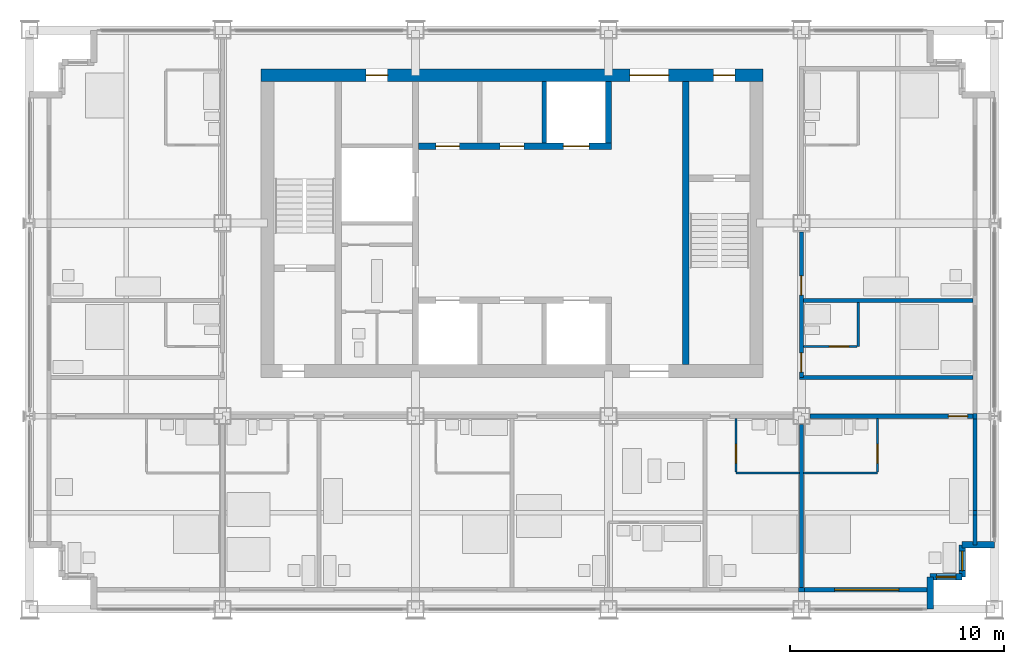
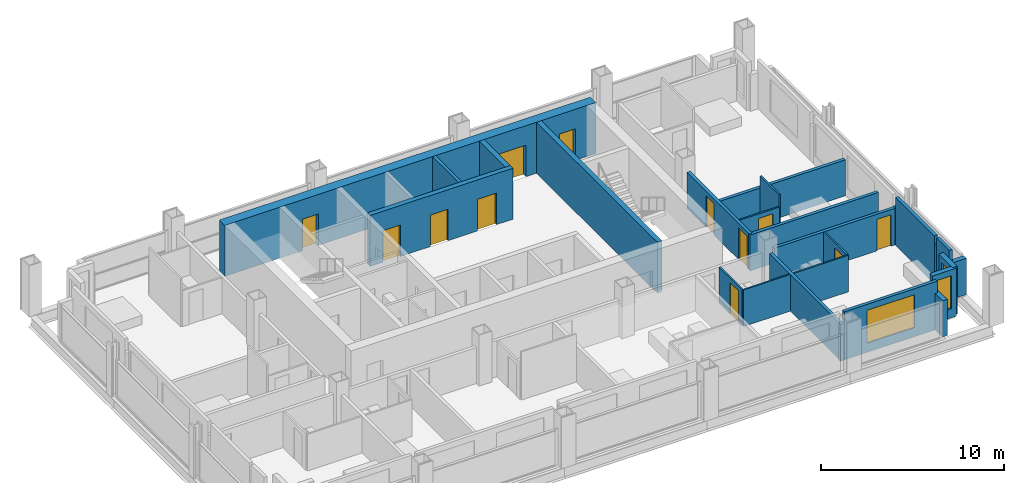
# One storey, part 9 of 13: 26 walls, 12 doors, 3 windows, 15 openings.
"""IFC4 building model written with IfcOpenShell, lengths in metres."""

from ifc_helpers import new_model, si_unit, direction, frame, frame_2d, origin, place, context, subcontext, project, spatial, rectangle, extrude, material, layer, layer_set, type_object, element, fill, save


model = new_model("IFC4")

# Units and contexts
model_context = context("Model", 3, precision=1e-05, world=origin(), true_north=direction((0.0, 1.0)))
body_context = subcontext(model_context, "Body", "Model", "MODEL_VIEW")
ifc_project = project(units=[si_unit("LENGTHUNIT", "METRE"), si_unit("AREAUNIT", "SQUARE_METRE"), si_unit("VOLUMEUNIT", "CUBIC_METRE"), si_unit("PLANEANGLEUNIT", "RADIAN"), si_unit("MASSUNIT", "GRAM", prefix="KILO")], contexts=[model_context])

# Site, building, storey
site_placement = place(None, origin())
site = spatial("IfcSite", under=ifc_project, at=site_placement, CompositionType="ELEMENT")
building_placement = place(site_placement, origin())
building = spatial("IfcBuilding", under=site, at=building_placement, Name="Loomwork Tower", CompositionType="ELEMENT")
storey_placement = place(building_placement, frame((0.0, 0.0, 204.60009765625)))
storey = spatial("IfcBuildingStorey", under=building, at=storey_placement, Name="L56", CompositionType="ELEMENT", Elevation=204.60009765625)

# Wall, openings, doors
ifc_material_1 = material(Name="Concrete 14000 psi (97 MPa)", Category="concrete")
ifc_layer_1 = layer(ifc_material_1, 0.300048828125)
ifc_layer_set_1 = layer_set([ifc_layer_1], Name="Core shear wall 300")
wall_type_1 = type_object("IfcWallType", Name="Core shear wall 300", PredefinedType="SHEAR", material=ifc_layer_set_1)
wall_1_placement = place(storey_placement, frame((18.14990234375, 21.60009765625, 0.0), z_axis=(0.0, 0.0, 1.0), x_axis=(1.0, 0.0, 0.0)))
wall_1 = element("IfcWall", 1, at=wall_1_placement, inside=storey, type_object=wall_type_1, Name="Lift front wall north L56", PredefinedType="SHEAR", context=body_context, shape_type="SweptSolid", body=[
    extrude(rectangle(XDim=9.0, YDim=0.300048828125, at=frame_2d((4.5, 0.0))), origin(), (0.0, 0.0, 1.0), 3.39990234375),
])
opening_1_placement = place(wall_1_placement, frame((6.75, 0.0, 0.0)))
opening_1 = element("IfcOpeningElement", 2, at=opening_1_placement, cuts=wall_1, Name="Opening LD2", PredefinedType="OPENING", context=body_context, shape_type="SweptSolid", body=[
    extrude(rectangle(XDim=1.199951171875, YDim=2.10009765625, at=frame_2d((0.60009765625, 1.050048828125))), frame((0.0, 0.159912109375, 0.0), z_axis=(0.0, -1.0, 0.0), x_axis=(1.0, 0.0, 0.0)), (0.0, 0.0, 1.0), 0.320068359375),
])
opening_2_placement = place(wall_1_placement, frame((0.800048828125, 0.0, 0.0)))
opening_2 = element("IfcOpeningElement", 3, at=opening_2_placement, cuts=wall_1, Name="Opening D17", PredefinedType="OPENING", context=body_context, shape_type="SweptSolid", body=[
    extrude(rectangle(XDim=1.10009765625, YDim=2.10009765625, at=frame_2d((0.550048828125, 1.050048828125))), frame((0.0, 0.159912109375, 0.0), z_axis=(0.0, -1.0, 0.0), x_axis=(1.0, 0.0, 0.0)), (0.0, 0.0, 1.0), 0.320068359375),
])
opening_3_placement = place(wall_1_placement, frame((3.800048828125, 0.0, 0.0)))
opening_3 = element("IfcOpeningElement", 4, at=opening_3_placement, cuts=wall_1, Name="Opening D17", PredefinedType="OPENING", context=body_context, shape_type="SweptSolid", body=[
    extrude(rectangle(XDim=1.10009765625, YDim=2.10009765625, at=frame_2d((0.550048828125, 1.050048828125))), frame((0.0, 0.159912109375, 0.0), z_axis=(0.0, -1.0, 0.0), x_axis=(1.0, 0.0, 0.0)), (0.0, 0.0, 1.0), 0.320068359375),
])
ifc_material_2 = material(Name="Hollow metal door and frame")
door_type_1 = type_object("IfcDoorType", Name="Lift landing door 1200", OperationType="SLIDING_TO_LEFT", PredefinedType="DOOR", material=ifc_material_2)
door_1_placement = place(opening_1_placement, origin())
door_1 = element("IfcDoor", 5, at=door_1_placement, inside=storey, type_object=door_type_1, Name="Lift landing door LF2", OperationType="SLIDING_TO_LEFT", OverallHeight=2.10009765625, OverallWidth=1.199951171875, PredefinedType="DOOR", context=body_context, shape_type="SweptSolid", body=[
    extrude(rectangle(XDim=1.199951171875, YDim=2.10009765625, at=frame_2d((0.60009765625, 1.050048828125))), frame((0.0, 0.02490234375, 0.0), z_axis=(0.0, -1.0, 0.0), x_axis=(1.0, 0.0, 0.0)), (0.0, 0.0, 1.0), 0.050048828125),
])
fill(opening_1, door_1)
ifc_material_3 = material(Name="Hollow metal door and frame")
door_type_2 = type_object("IfcDoorType", Name="Service room door 1100", OperationType="SINGLE_SWING_LEFT", PredefinedType="DOOR", material=ifc_material_3)
door_2_placement = place(opening_2_placement, origin())
door_2 = element("IfcDoor", 6, at=door_2_placement, inside=storey, type_object=door_type_2, Name="Guest pantry, ice and vending door L56", OperationType="SINGLE_SWING_LEFT", OverallHeight=2.10009765625, OverallWidth=1.10009765625, PredefinedType="DOOR", context=body_context, shape_type="SweptSolid", body=[
    extrude(rectangle(XDim=1.10009765625, YDim=2.10009765625, at=frame_2d((0.550048828125, 1.050048828125))), frame((0.0, 0.02490234375, 0.0), z_axis=(0.0, -1.0, 0.0), x_axis=(1.0, 0.0, 0.0)), (0.0, 0.0, 1.0), 0.050048828125),
])
fill(opening_2, door_2)
door_3_placement = place(opening_3_placement, origin())
door_3 = element("IfcDoor", 7, at=door_3_placement, inside=storey, type_object=door_type_2, Name="Storage room door L56", OperationType="SINGLE_SWING_LEFT", OverallHeight=2.10009765625, OverallWidth=1.10009765625, PredefinedType="DOOR", context=body_context, shape_type="SweptSolid", body=[
    extrude(rectangle(XDim=1.10009765625, YDim=2.10009765625, at=frame_2d((0.550048828125, 1.050048828125))), frame((0.0, 0.02490234375, 0.0), z_axis=(0.0, -1.0, 0.0), x_axis=(1.0, 0.0, 0.0)), (0.0, 0.0, 1.0), 0.050048828125),
])
fill(opening_3, door_3)

# Walls
wall_2_placement = place(storey_placement, frame((27.0, 21.75, 0.0), z_axis=(0.0, 0.0, 1.0), x_axis=(0.0, 1.0, 0.0)))
element("IfcWall", 8, at=wall_2_placement, inside=storey, type_object=wall_type_1, Name="Lift shaft end wall north L56", PredefinedType="SHEAR", context=body_context, shape_type="SweptSolid", body=[
    extrude(rectangle(XDim=2.85009765625, YDim=0.300048828125, at=frame_2d((1.425048828125, 0.0))), origin(), (0.0, 0.0, 1.0), 3.39990234375),
])
wall_3_placement = place(storey_placement, frame((30.60009765625, 11.39990234375, 0.0), z_axis=(0.0, 0.0, 1.0), x_axis=(0.0, 1.0, 0.0)))
element("IfcWall", 9, at=wall_3_placement, inside=storey, type_object=wall_type_1, Name="Stair B west wall L56", PredefinedType="SHEAR", context=body_context, shape_type="SweptSolid", body=[
    extrude(rectangle(XDim=13.2001953125, YDim=0.300048828125, at=frame_2d((6.60009765625, 0.0))), origin(), (0.0, 0.0, 1.0), 3.39990234375),
])

# Wall, openings, doors
ifc_material_4 = material(Name="Concrete 14000 psi (97 MPa)", Category="concrete")
ifc_layer_2 = layer(ifc_material_4, 0.60009765625)
ifc_layer_set_2 = layer_set([ifc_layer_2], Name="Core shear wall 600")
wall_type_2 = type_object("IfcWallType", Name="Core shear wall 600", PredefinedType="SHEAR", material=ifc_layer_set_2)
wall_4_placement = place(storey_placement, frame((10.800048828125, 24.89990234375, 0.0), z_axis=(0.0, 0.0, 1.0), x_axis=(1.0, 0.0, 0.0)))
wall_4 = element("IfcWall", 10, at=wall_4_placement, inside=storey, type_object=wall_type_2, Name="Core wall north L56", PredefinedType="SHEAR", context=body_context, shape_type="SweptSolid", body=[
    extrude(rectangle(XDim=23.39990234375, YDim=0.60009765625, at=frame_2d((11.699951171875, 0.0))), origin(), (0.0, 0.0, 1.0), 3.39990234375),
])
opening_4_placement = place(wall_4_placement, frame((17.199951171875, 0.0, 0.0)))
opening_4 = element("IfcOpeningElement", 11, at=opening_4_placement, cuts=wall_4, Name="Opening D6", PredefinedType="OPENING", context=body_context, shape_type="SweptSolid", body=[
    extrude(rectangle(XDim=1.800048828125, YDim=2.10009765625, at=frame_2d((0.89990234375, 1.050048828125))), frame((0.0, 0.31005859375, 0.0), z_axis=(0.0, -1.0, 0.0), x_axis=(1.0, 0.0, 0.0)), (0.0, 0.0, 1.0), 0.6201171875),
])
opening_5_placement = place(wall_4_placement, frame((21.10009765625, 0.0, 0.0)))
opening_5 = element("IfcOpeningElement", 12, at=opening_5_placement, cuts=wall_4, Name="Opening D4", PredefinedType="OPENING", context=body_context, shape_type="SweptSolid", body=[
    extrude(rectangle(XDim=1.0, YDim=2.10009765625, at=frame_2d((0.5, 1.050048828125))), frame((0.0, 0.31005859375, 0.0), z_axis=(0.0, -1.0, 0.0), x_axis=(1.0, 0.0, 0.0)), (0.0, 0.0, 1.0), 0.6201171875),
])
opening_6_placement = place(wall_4_placement, frame((4.89990234375, 0.0, 0.0)))
opening_6 = element("IfcOpeningElement", 13, at=opening_6_placement, cuts=wall_4, Name="Opening D5", PredefinedType="OPENING", context=body_context, shape_type="SweptSolid", body=[
    extrude(rectangle(XDim=1.0, YDim=2.10009765625, at=frame_2d((0.5, 1.050048828125))), frame((0.0, 0.31005859375, 0.0), z_axis=(0.0, -1.0, 0.0), x_axis=(1.0, 0.0, 0.0)), (0.0, 0.0, 1.0), 0.6201171875),
])
ifc_material_5 = material(Name="Hollow metal door and frame")
door_type_3 = type_object("IfcDoorType", Name="Lobby passage double door 1800", OperationType="DOUBLE_DOOR_SINGLE_SWING", PredefinedType="DOOR", material=ifc_material_5)
door_4_placement = place(opening_4_placement, frame((1.800048828125, 0.0, 0.0), z_axis=(0.0, 0.0, 1.0), x_axis=(-1.0, 0.0, 0.0)))
door_4 = element("IfcDoor", 14, at=door_4_placement, inside=storey, type_object=door_type_3, Name="Lobby passage door north", OperationType="DOUBLE_DOOR_SINGLE_SWING", OverallHeight=2.10009765625, OverallWidth=1.800048828125, PredefinedType="DOOR", context=body_context, shape_type="SweptSolid", body=[
    extrude(rectangle(XDim=1.800048828125, YDim=2.10009765625, at=frame_2d((0.89990234375, 1.050048828125))), frame((0.0, 0.02490234375, 0.0), z_axis=(0.0, -1.0, 0.0), x_axis=(1.0, 0.0, 0.0)), (0.0, 0.0, 1.0), 0.050048828125),
])
fill(opening_4, door_4)
ifc_material_6 = material(Name="Hollow metal door and frame")
door_type_4 = type_object("IfcDoorType", Name="Service door 1000", OperationType="SINGLE_SWING_LEFT", PredefinedType="DOOR", material=ifc_material_6)
door_5_placement = place(opening_6_placement, frame((1.0, 0.0, 0.0), z_axis=(0.0, 0.0, 1.0), x_axis=(-1.0, 0.0, 0.0)))
door_5 = element("IfcDoor", 15, at=door_5_placement, inside=storey, type_object=door_type_4, Name="Back-of-house door north", OperationType="SINGLE_SWING_LEFT", OverallHeight=2.10009765625, OverallWidth=1.0, PredefinedType="DOOR", context=body_context, shape_type="SweptSolid", body=[
    extrude(rectangle(XDim=1.0, YDim=2.10009765625, at=frame_2d((0.5, 1.050048828125))), frame((0.0, 0.02490234375, 0.0), z_axis=(0.0, -1.0, 0.0), x_axis=(1.0, 0.0, 0.0)), (0.0, 0.0, 1.0), 0.050048828125),
])
fill(opening_6, door_5)
ifc_material_7 = material(Name="Hollow metal door and frame")
door_type_5 = type_object("IfcDoorType", Name="Stair door 1000", OperationType="SINGLE_SWING_RIGHT", PredefinedType="DOOR", material=ifc_material_7)
door_6_placement = place(opening_5_placement, frame((1.0, 0.0, 0.0), z_axis=(0.0, 0.0, 1.0), x_axis=(-1.0, 0.0, 0.0)))
door_6 = element("IfcDoor", 16, at=door_6_placement, inside=storey, type_object=door_type_5, Name="Stair B vestibule door", OperationType="SINGLE_SWING_LEFT", OverallHeight=2.10009765625, OverallWidth=1.0, PredefinedType="DOOR", context=body_context, shape_type="SweptSolid", body=[
    extrude(rectangle(XDim=1.0, YDim=2.10009765625, at=frame_2d((0.5, 1.050048828125))), frame((0.0, 0.02490234375, 0.0), z_axis=(0.0, -1.0, 0.0), x_axis=(1.0, 0.0, 0.0)), (0.0, 0.0, 1.0), 0.050048828125),
])
fill(opening_5, door_6)

# Wall, opening, door
ifc_material_8 = material(Name="Gypsum board on steel studs, one-hour", Category="steel")
ifc_layer_3 = layer(ifc_material_8, 0.199951171875)
ifc_layer_set_3 = layer_set([ifc_layer_3], Name="Corridor wall 200")
wall_type_3 = type_object("IfcWallType", Name="Corridor wall 200", PredefinedType="PARTITIONING", material=ifc_layer_set_3)
wall_5_placement = place(storey_placement, frame((36.39990234375, 9.0, 0.0), z_axis=(0.0, 0.0, 1.0), x_axis=(1.0, 0.0, 0.0)))
wall_5 = element("IfcWall", 17, at=wall_5_placement, inside=storey, type_object=wall_type_3, Name="South corridor wall 5", PredefinedType="PARTITIONING", context=body_context, shape_type="SweptSolid", body=[
    extrude(rectangle(XDim=7.60009765625, YDim=0.199951171875, at=frame_2d((3.800048828125, 0.0))), origin(), (0.0, 0.0, 1.0), 2.43798828125),
])
opening_7_placement = place(wall_5_placement, frame((6.449951171875, 0.0, 0.0)))
opening_7 = element("IfcOpeningElement", 18, at=opening_7_placement, cuts=wall_5, Name="Opening D1", PredefinedType="OPENING", context=body_context, shape_type="SweptSolid", body=[
    extrude(rectangle(XDim=0.89990234375, YDim=2.10009765625, at=frame_2d((0.449951171875, 1.050048828125))), frame((0.0, 0.10986328125, 0.0), z_axis=(0.0, -1.0, 0.0), x_axis=(1.0, 0.0, 0.0)), (0.0, 0.0, 1.0), 0.219970703125),
])
ifc_material_9 = material(Name="Hollow metal door and frame")
door_type_6 = type_object("IfcDoorType", Name="Guest room entry door 900", OperationType="SINGLE_SWING_LEFT", PredefinedType="DOOR", material=ifc_material_9)
door_7_placement = place(opening_7_placement, frame((0.89990234375, 0.0, 0.0), z_axis=(0.0, 0.0, 1.0), x_axis=(-1.0, 0.0, 0.0)))
door_7 = element("IfcDoor", 19, at=door_7_placement, inside=storey, type_object=door_type_6, Name="Guest room entry door L56 6", OperationType="SINGLE_SWING_LEFT", OverallHeight=2.10009765625, OverallWidth=0.89990234375, PredefinedType="DOOR", context=body_context, shape_type="SweptSolid", body=[
    extrude(rectangle(XDim=0.89990234375, YDim=2.10009765625, at=frame_2d((0.449951171875, 1.050048828125))), frame((0.0, 0.02490234375, 0.0), z_axis=(0.0, -1.0, 0.0), x_axis=(1.0, 0.0, 0.0)), (0.0, 0.0, 1.0), 0.050048828125),
])
fill(opening_7, door_7)

# Wall, openings, doors
wall_6_placement = place(storey_placement, frame((36.0, 10.800048828125, 0.0), z_axis=(0.0, 0.0, 1.0), x_axis=(0.0, 1.0, 0.0)))
wall_6 = element("IfcWall", 20, at=wall_6_placement, inside=storey, type_object=wall_type_3, Name="East corridor wall 1", PredefinedType="PARTITIONING", context=body_context, shape_type="SweptSolid", body=[
    extrude(rectangle(XDim=6.800048828125, YDim=0.199951171875, at=frame_2d((3.39990234375, 0.0))), origin(), (0.0, 0.0, 1.0), 2.40478515625),
])
opening_8_placement = place(wall_6_placement, frame((0.25, 0.0, 0.0)))
opening_8 = element("IfcOpeningElement", 21, at=opening_8_placement, cuts=wall_6, Name="Opening D1", PredefinedType="OPENING", context=body_context, shape_type="SweptSolid", body=[
    extrude(rectangle(XDim=0.89990234375, YDim=2.10009765625, at=frame_2d((0.449951171875, 1.050048828125))), frame((0.0, 0.10986328125, 0.0), z_axis=(0.0, -1.0, 0.0), x_axis=(1.0, 0.0, 0.0)), (0.0, 0.0, 1.0), 0.219970703125),
])
opening_9_placement = place(wall_6_placement, frame((3.85009765625, 0.0, 0.0)))
opening_9 = element("IfcOpeningElement", 22, at=opening_9_placement, cuts=wall_6, Name="Opening D1", PredefinedType="OPENING", context=body_context, shape_type="SweptSolid", body=[
    extrude(rectangle(XDim=0.89990234375, YDim=2.10009765625, at=frame_2d((0.449951171875, 1.050048828125))), frame((0.0, 0.10986328125, 0.0), z_axis=(0.0, -1.0, 0.0), x_axis=(1.0, 0.0, 0.0)), (0.0, 0.0, 1.0), 0.219970703125),
])
door_8_placement = place(opening_8_placement, frame((0.89990234375, 0.0, 0.0), z_axis=(0.0, 0.0, 1.0), x_axis=(-1.0, 0.0, 0.0)))
door_8 = element("IfcDoor", 23, at=door_8_placement, inside=storey, type_object=door_type_6, Name="Guest room entry door L56 9", OperationType="SINGLE_SWING_RIGHT", OverallHeight=2.10009765625, OverallWidth=0.89990234375, PredefinedType="DOOR", context=body_context, shape_type="SweptSolid", body=[
    extrude(rectangle(XDim=0.89990234375, YDim=2.10009765625, at=frame_2d((0.449951171875, 1.050048828125))), frame((0.0, 0.02490234375, 0.0), z_axis=(0.0, -1.0, 0.0), x_axis=(1.0, 0.0, 0.0)), (0.0, 0.0, 1.0), 0.050048828125),
])
fill(opening_8, door_8)
door_9_placement = place(opening_9_placement, frame((0.89990234375, 0.0, 0.0), z_axis=(0.0, 0.0, 1.0), x_axis=(-1.0, 0.0, 0.0)))
door_9 = element("IfcDoor", 24, at=door_9_placement, inside=storey, type_object=door_type_6, Name="Guest room entry door L56 10", OperationType="SINGLE_SWING_RIGHT", OverallHeight=2.10009765625, OverallWidth=0.89990234375, PredefinedType="DOOR", context=body_context, shape_type="SweptSolid", body=[
    extrude(rectangle(XDim=0.89990234375, YDim=2.10009765625, at=frame_2d((0.449951171875, 1.050048828125))), frame((0.0, 0.02490234375, 0.0), z_axis=(0.0, -1.0, 0.0), x_axis=(1.0, 0.0, 0.0)), (0.0, 0.0, 1.0), 0.050048828125),
])
fill(opening_9, door_9)

# Walls
wall_7_placement = place(storey_placement, frame((35.89990234375, 10.800048828125, 0.0), z_axis=(0.0, 0.0, 1.0), x_axis=(1.0, 0.0, 0.0)))
element("IfcWall", 25, at=wall_7_placement, inside=storey, type_object=wall_type_3, Name="East band end wall S", PredefinedType="PARTITIONING", context=body_context, shape_type="SweptSolid", body=[
    extrude(rectangle(XDim=8.10009765625, YDim=0.199951171875, at=frame_2d((4.050048828125, 0.0))), origin(), (0.0, 0.0, 1.0), 2.40380859375),
])
ifc_material_10 = material(Name="Cement board on steel studs", Category="steel")
ifc_layer_4 = layer(ifc_material_10, 0.10009765625)
ifc_layer_set_4 = layer_set([ifc_layer_4], Name="En-suite partition 100")
wall_type_4 = type_object("IfcWallType", Name="En-suite partition 100", PredefinedType="PARTITIONING", material=ifc_layer_set_4)
wall_8_placement = place(storey_placement, frame((32.949951171875, 6.35009765625, 0.0), z_axis=(0.0, 0.0, 1.0), x_axis=(1.0, 0.0, 0.0)))
element("IfcWall", 26, at=wall_8_placement, inside=storey, type_object=wall_type_4, Name="En-suite wall L56 room 5", PredefinedType="PARTITIONING", context=body_context, shape_type="SweptSolid", body=[
    extrude(rectangle(XDim=2.949951171875, YDim=0.10009765625, at=frame_2d((1.47509765625, 0.0))), origin(), (0.0, 0.0, 1.0), 2.43798828125),
])

# Wall, opening, door
wall_9_placement = place(storey_placement, frame((32.949951171875, 8.89990234375, 0.0), z_axis=(0.0, 0.0, 1.0), x_axis=(0.0, -1.0, 0.0)))
wall_9 = element("IfcWall", 27, at=wall_9_placement, inside=storey, type_object=wall_type_4, Name="En-suite side wall L56 room 5", PredefinedType="PARTITIONING", context=body_context, shape_type="SweptSolid", body=[
    extrude(rectangle(XDim=2.5, YDim=0.10009765625, at=frame_2d((1.25, 0.0))), origin(), (0.0, 0.0, 1.0), 2.40380859375),
])
opening_10_placement = place(wall_9_placement, frame((1.199951171875, 0.0, 0.0)))
opening_10 = element("IfcOpeningElement", 28, at=opening_10_placement, cuts=wall_9, Name="Opening D2", PredefinedType="OPENING", context=body_context, shape_type="SweptSolid", body=[
    extrude(rectangle(XDim=0.89990234375, YDim=2.10009765625, at=frame_2d((0.449951171875, 1.050048828125))), frame((0.0, 0.06005859375, 0.0), z_axis=(0.0, -1.0, 0.0), x_axis=(1.0, 0.0, 0.0)), (0.0, 0.0, 1.0), 0.1201171875),
])
ifc_material_11 = material(Name="Hollow metal door and frame")
door_type_7 = type_object("IfcDoorType", Name="En-suite door 900", OperationType="SINGLE_SWING_LEFT", PredefinedType="DOOR", material=ifc_material_11)
door_10_placement = place(opening_10_placement, origin())
door_10 = element("IfcDoor", 29, at=door_10_placement, inside=storey, type_object=door_type_7, Name="En-suite door room 5", OperationType="SINGLE_SWING_RIGHT", OverallHeight=2.10009765625, OverallWidth=0.89990234375, PredefinedType="DOOR", context=body_context, shape_type="SweptSolid", body=[
    extrude(rectangle(XDim=0.89990234375, YDim=2.10009765625, at=frame_2d((0.449951171875, 1.050048828125))), frame((0.0, 0.02490234375, 0.0), z_axis=(0.0, -1.0, 0.0), x_axis=(1.0, 0.0, 0.0)), (0.0, 0.0, 1.0), 0.050048828125),
])
fill(opening_10, door_10)

# Wall
wall_10_placement = place(storey_placement, frame((36.10009765625, 6.35009765625, 0.0), z_axis=(0.0, 0.0, 1.0), x_axis=(1.0, 0.0, 0.0)))
element("IfcWall", 30, at=wall_10_placement, inside=storey, type_object=wall_type_4, Name="En-suite wall L56 room 6", PredefinedType="PARTITIONING", context=body_context, shape_type="SweptSolid", body=[
    extrude(rectangle(XDim=3.449951171875, YDim=0.10009765625, at=frame_2d((1.72509765625, 0.0))), origin(), (0.0, 0.0, 1.0), 2.43798828125),
])

# Wall, opening, door
wall_11_placement = place(storey_placement, frame((39.550048828125, 8.89990234375, 0.0), z_axis=(0.0, 0.0, 1.0), x_axis=(0.0, -1.0, 0.0)))
wall_11 = element("IfcWall", 31, at=wall_11_placement, inside=storey, type_object=wall_type_4, Name="En-suite side wall L56 room 6", PredefinedType="PARTITIONING", context=body_context, shape_type="SweptSolid", body=[
    extrude(rectangle(XDim=2.5, YDim=0.10009765625, at=frame_2d((1.25, 0.0))), origin(), (0.0, 0.0, 1.0), 2.43798828125),
])
opening_11_placement = place(wall_11_placement, frame((1.199951171875, 0.0, 0.0)))
opening_11 = element("IfcOpeningElement", 32, at=opening_11_placement, cuts=wall_11, Name="Opening D2", PredefinedType="OPENING", context=body_context, shape_type="SweptSolid", body=[
    extrude(rectangle(XDim=0.89990234375, YDim=2.10009765625, at=frame_2d((0.449951171875, 1.050048828125))), frame((0.0, 0.06005859375, 0.0), z_axis=(0.0, -1.0, 0.0), x_axis=(1.0, 0.0, 0.0)), (0.0, 0.0, 1.0), 0.1201171875),
])
door_11_placement = place(opening_11_placement, frame((0.89990234375, 0.0, 0.0), z_axis=(0.0, 0.0, 1.0), x_axis=(-1.0, 0.0, 0.0)))
door_11 = element("IfcDoor", 33, at=door_11_placement, inside=storey, type_object=door_type_7, Name="En-suite door room 6", OperationType="SINGLE_SWING_LEFT", OverallHeight=2.10009765625, OverallWidth=0.89990234375, PredefinedType="DOOR", context=body_context, shape_type="SweptSolid", body=[
    extrude(rectangle(XDim=0.89990234375, YDim=2.10009765625, at=frame_2d((0.449951171875, 1.050048828125))), frame((0.0, 0.02490234375, 0.0), z_axis=(0.0, -1.0, 0.0), x_axis=(1.0, 0.0, 0.0)), (0.0, 0.0, 1.0), 0.050048828125),
])
fill(opening_11, door_11)

# Wall
wall_12_placement = place(storey_placement, frame((38.64990234375, 12.25, 0.0), z_axis=(0.0, 0.0, 1.0), x_axis=(0.0, 1.0, 0.0)))
element("IfcWall", 34, at=wall_12_placement, inside=storey, type_object=wall_type_4, Name="En-suite wall L56 room 9", PredefinedType="PARTITIONING", context=body_context, shape_type="SweptSolid", body=[
    extrude(rectangle(XDim=2.050048828125, YDim=0.10009765625, at=frame_2d((1.02490234375, 0.0))), origin(), (0.0, 0.0, 1.0), 3.199951171875),
])

# Wall, opening, door
wall_13_placement = place(storey_placement, frame((36.10009765625, 12.25, 0.0), z_axis=(0.0, 0.0, 1.0), x_axis=(1.0, 0.0, 0.0)))
wall_13 = element("IfcWall", 35, at=wall_13_placement, inside=storey, type_object=wall_type_4, Name="En-suite side wall L56 room 9", PredefinedType="PARTITIONING", context=body_context, shape_type="SweptSolid", body=[
    extrude(rectangle(XDim=2.5, YDim=0.10009765625, at=frame_2d((1.25, 0.0))), origin(), (0.0, 0.0, 1.0), 2.40380859375),
])
opening_12_placement = place(wall_13_placement, frame((1.199951171875, 0.0, 0.0)))
opening_12 = element("IfcOpeningElement", 36, at=opening_12_placement, cuts=wall_13, Name="Opening D2", PredefinedType="OPENING", context=body_context, shape_type="SweptSolid", body=[
    extrude(rectangle(XDim=0.89990234375, YDim=2.10009765625, at=frame_2d((0.449951171875, 1.050048828125))), frame((0.0, 0.06005859375, 0.0), z_axis=(0.0, -1.0, 0.0), x_axis=(1.0, 0.0, 0.0)), (0.0, 0.0, 1.0), 0.1201171875),
])
door_12_placement = place(opening_12_placement, origin())
door_12 = element("IfcDoor", 37, at=door_12_placement, inside=storey, type_object=door_type_7, Name="En-suite door room 9", OperationType="SINGLE_SWING_RIGHT", OverallHeight=2.10009765625, OverallWidth=0.89990234375, PredefinedType="DOOR", context=body_context, shape_type="SweptSolid", body=[
    extrude(rectangle(XDim=0.89990234375, YDim=2.10009765625, at=frame_2d((0.449951171875, 1.050048828125))), frame((0.0, 0.02490234375, 0.0), z_axis=(0.0, -1.0, 0.0), x_axis=(1.0, 0.0, 0.0)), (0.0, 0.0, 1.0), 0.050048828125),
])
fill(opening_12, door_12)

# Walls
ifc_material_12 = material(Name="Gypsum board on steel studs, acoustic", Category="steel")
ifc_layer_5 = layer(ifc_material_12, 0.199951171875)
ifc_layer_set_5 = layer_set([ifc_layer_5], Name="Guest room party wall 200")
wall_type_5 = type_object("IfcWallType", Name="Guest room party wall 200", PredefinedType="PARTITIONING", material=ifc_layer_set_5)
wall_14_placement = place(storey_placement, frame((36.0, 8.60009765625, 0.0), z_axis=(0.0, 0.0, 1.0), x_axis=(0.0, -1.0, 0.0)))
element("IfcWall", 38, at=wall_14_placement, inside=storey, type_object=wall_type_5, Name="Guest room party wall S 36", PredefinedType="PARTITIONING", context=body_context, shape_type="SweptSolid", body=[
    extrude(rectangle(XDim=7.60009765625, YDim=0.199951171875, at=frame_2d((3.800048828125, 0.0))), origin(), (0.0, 0.0, 1.0), 2.43798828125),
])
wall_15_placement = place(storey_placement, frame((36.10009765625, 14.39990234375, 0.0), z_axis=(0.0, 0.0, 1.0), x_axis=(1.0, 0.0, 0.0)))
element("IfcWall", 39, at=wall_15_placement, inside=storey, type_object=wall_type_5, Name="Guest room party wall E 14.4", PredefinedType="PARTITIONING", context=body_context, shape_type="SweptSolid", body=[
    extrude(rectangle(XDim=7.89990234375, YDim=0.199951171875, at=frame_2d((3.949951171875, 0.0))), origin(), (0.0, 0.0, 1.0), 2.40380859375),
])
ifc_material_13 = material(Name="Insulated steel stud wall with gypsum lining", Category="steel")
ifc_layer_6 = layer(ifc_material_13, 0.199951171875)
ifc_layer_set_6 = layer_set([ifc_layer_6], Name="Inner skin wall 200")
wall_type_6 = type_object("IfcWallType", Name="Inner skin wall 200", PredefinedType="SOLIDWALL", material=ifc_layer_set_6)
wall_16_placement = place(storey_placement, frame((44.10009765625, 3.0, 0.0), z_axis=(0.0, 0.0, 1.0), x_axis=(0.0, 1.0, 0.0)))
element("IfcWall", 40, at=wall_16_placement, inside=storey, type_object=wall_type_6, Name="Inner skin wall E", PredefinedType="SOLIDWALL", context=body_context, shape_type="SweptSolid", body=[
    extrude(rectangle(XDim=1.392578125, YDim=0.199951171875, at=frame_2d((0.6962890625, 0.0))), origin(), (0.0, 0.0, 1.0), 3.199951171875),
])
wall_17_placement = place(storey_placement, frame((35.864501953125, 0.89990234375, 0.0), z_axis=(0.0, 0.0, 1.0), x_axis=(1.0, 0.0, 0.0)))
element("IfcWall", 41, at=wall_17_placement, inside=storey, type_object=wall_type_6, Name="Inner skin wall S bay 8", PredefinedType="SOLIDWALL", context=body_context, shape_type="SweptSolid", body=[
    extrude(rectangle(XDim=0.27099609375, YDim=0.199951171875, at=frame_2d((0.135498046875, 0.0))), origin(), (0.0, 0.0, 1.0), 2.43798828125),
])

# Wall, opening, window
wall_18_placement = place(storey_placement, frame((36.135498046875, 0.89990234375, 0.0), z_axis=(0.0, 0.0, 1.0), x_axis=(1.0, 0.0, 0.0)))
wall_18 = element("IfcWall", 42, at=wall_18_placement, inside=storey, type_object=wall_type_6, Name="Inner skin wall S bay 9", PredefinedType="SOLIDWALL", context=body_context, shape_type="SweptSolid", body=[
    extrude(rectangle(XDim=5.864501953125, YDim=0.199951171875, at=frame_2d((2.93212890625, 0.0))), origin(), (0.0, 0.0, 1.0), 3.199951171875),
])
opening_13_placement = place(wall_18_placement, frame((1.41455078125, 0.0, 0.60009765625)))
opening_13 = element("IfcOpeningElement", 43, at=opening_13_placement, cuts=wall_18, Name="Opening CH1", PredefinedType="OPENING", context=body_context, shape_type="SweptSolid", body=[
    extrude(rectangle(XDim=3.0, YDim=2.199951171875, at=frame_2d((1.5, 1.10009765625))), frame((0.0, 0.10986328125, 0.0), z_axis=(0.0, -1.0, 0.0), x_axis=(1.0, 0.0, 0.0)), (0.0, 0.0, 1.0), 0.219970703125),
])
ifc_material_14 = material(Name="Aluminium frame with clear insulated glass", Category="aluminium")
window_type_1 = type_object("IfcWindowType", Name="Chicago window 3000", PartitioningType="TRIPLE_PANEL_VERTICAL", PredefinedType="WINDOW", material=ifc_material_14)
window_1_placement = place(opening_13_placement, origin())
window_1 = element("IfcWindow", 44, at=window_1_placement, inside=storey, type_object=window_type_1, Name="Chicago window L56 bay 5", OverallHeight=2.199951171875, OverallWidth=3.0, PartitioningType="TRIPLE_PANEL_VERTICAL", PredefinedType="WINDOW", context=body_context, shape_type="SweptSolid", body=[
    extrude(rectangle(XDim=3.0, YDim=2.199951171875, at=frame_2d((1.5, 1.10009765625))), frame((0.0, 0.030029296875, 0.0), z_axis=(0.0, -1.0, 0.0), x_axis=(1.0, 0.0, 0.0)), (0.0, 0.0, 1.0), 0.06005859375),
])
fill(opening_13, window_1)

# Walls
wall_19_placement = place(storey_placement, frame((44.10009765625, 4.392578125, 0.0), z_axis=(0.0, 0.0, 1.0), x_axis=(0.0, 1.0, 0.0)))
element("IfcWall", 45, at=wall_19_placement, inside=storey, type_object=wall_type_6, Name="Inner skin wall E bay 2", PredefinedType="SOLIDWALL", context=body_context, shape_type="SweptSolid", body=[
    extrude(rectangle(XDim=0.21484375, YDim=0.199951171875, at=frame_2d((0.107421875, 0.0))), origin(), (0.0, 0.0, 1.0), 2.660888671875),
])
wall_20_placement = place(storey_placement, frame((44.10009765625, 4.607421875, 0.0), z_axis=(0.0, 0.0, 1.0), x_axis=(0.0, 1.0, 0.0)))
element("IfcWall", 46, at=wall_20_placement, inside=storey, type_object=wall_type_6, Name="Inner skin wall E bay 3", PredefinedType="SOLIDWALL", context=body_context, shape_type="SweptSolid", body=[
    extrude(rectangle(XDim=4.25732421875, YDim=0.199951171875, at=frame_2d((2.128662109375, 0.0))), origin(), (0.0, 0.0, 1.0), 3.199951171875),
])
wall_21_placement = place(storey_placement, frame((44.10009765625, 8.86474609375, 0.0), z_axis=(0.0, 0.0, 1.0), x_axis=(0.0, 1.0, 0.0)))
element("IfcWall", 47, at=wall_21_placement, inside=storey, type_object=wall_type_6, Name="Inner skin wall E bay 4", PredefinedType="SOLIDWALL", context=body_context, shape_type="SweptSolid", body=[
    extrude(rectangle(XDim=0.2705078125, YDim=0.199951171875, at=frame_2d((0.13525390625, 0.0))), origin(), (0.0, 0.0, 1.0), 2.43798828125),
])
ifc_material_15 = material(Name="Concrete 14000 psi (97 MPa)", Category="concrete")
ifc_layer_7 = layer(ifc_material_15, 0.199951171875)
ifc_layer_set_7 = layer_set([ifc_layer_7], Name="Lift shaft wall 200")
wall_type_7 = type_object("IfcWallType", Name="Lift shaft wall 200", PredefinedType="SHEAR", material=ifc_layer_set_7)
wall_22_placement = place(storey_placement, frame((24.0, 21.75, 0.0), z_axis=(0.0, 0.0, 1.0), x_axis=(0.0, 1.0, 0.0)))
element("IfcWall", 48, at=wall_22_placement, inside=storey, type_object=wall_type_7, Name="Lift shaft separation wall north 2 L56", PredefinedType="SHEAR", context=body_context, shape_type="SweptSolid", body=[
    extrude(rectangle(XDim=2.85009765625, YDim=0.199951171875, at=frame_2d((1.425048828125, 0.0))), origin(), (0.0, 0.0, 1.0), 3.39990234375),
])
ifc_material_16 = material(Name="Limestone on concrete masonry", Category="masonry")
ifc_layer_8 = layer(ifc_material_16, 0.300048828125)
ifc_layer_set_8 = layer_set([ifc_layer_8], Name="Limestone corner wall 300")
wall_type_8 = type_object("IfcWallType", Name="Limestone corner wall 300", PredefinedType="SOLIDWALL", material=ifc_layer_set_8)
wall_23_placement = place(storey_placement, frame((42.0, 0.0, 0.0), z_axis=(0.0, 0.0, 1.0), x_axis=(0.0, 1.0, 0.0)))
element("IfcWall", 49, at=wall_23_placement, inside=storey, type_object=wall_type_8, Name="Stone corner wall SE 1", PredefinedType="SOLIDWALL", context=body_context, shape_type="SweptSolid", body=[
    extrude(rectangle(XDim=1.5, YDim=0.300048828125, at=frame_2d((0.75, 0.0))), origin(), (0.0, 0.0, 1.0), 2.419921875),
])

# Wall, opening, window
wall_24_placement = place(storey_placement, frame((42.0, 1.5, 0.0), z_axis=(0.0, 0.0, 1.0), x_axis=(1.0, 0.0, 0.0)))
wall_24 = element("IfcWall", 50, at=wall_24_placement, inside=storey, type_object=wall_type_8, Name="Stone corner wall SE 2", PredefinedType="SOLIDWALL", context=body_context, shape_type="SweptSolid", body=[
    extrude(rectangle(XDim=1.5, YDim=0.300048828125, at=frame_2d((0.75, 0.0))), origin(), (0.0, 0.0, 1.0), 3.199951171875),
])
opening_14_placement = place(wall_24_placement, frame((0.300048828125, 0.0, 0.60009765625)))
opening_14 = element("IfcOpeningElement", 51, at=opening_14_placement, cuts=wall_24, Name="Opening CH2", PredefinedType="OPENING", context=body_context, shape_type="SweptSolid", body=[
    extrude(rectangle(XDim=0.89990234375, YDim=2.199951171875, at=frame_2d((0.449951171875, 1.10009765625))), frame((0.0, 0.159912109375, 0.0), z_axis=(0.0, -1.0, 0.0), x_axis=(1.0, 0.0, 0.0)), (0.0, 0.0, 1.0), 0.320068359375),
])
ifc_material_17 = material(Name="Aluminium frame with clear insulated glass", Category="aluminium")
window_type_2 = type_object("IfcWindowType", Name="Corner window 900", PartitioningType="SINGLE_PANEL", PredefinedType="WINDOW", material=ifc_material_17)
window_2_placement = place(opening_14_placement, origin())
window_2 = element("IfcWindow", 52, at=window_2_placement, inside=storey, type_object=window_type_2, Name="Corner window SE", OverallHeight=2.199951171875, OverallWidth=0.89990234375, PartitioningType="SINGLE_PANEL", PredefinedType="WINDOW", context=body_context, shape_type="SweptSolid", body=[
    extrude(rectangle(XDim=0.89990234375, YDim=2.199951171875, at=frame_2d((0.449951171875, 1.10009765625))), frame((0.0, 0.030029296875, 0.0), z_axis=(0.0, -1.0, 0.0), x_axis=(1.0, 0.0, 0.0)), (0.0, 0.0, 1.0), 0.06005859375),
])
fill(opening_14, window_2)

wall_25_placement = place(storey_placement, frame((43.5, 1.5, 0.0), z_axis=(0.0, 0.0, 1.0), x_axis=(0.0, 1.0, 0.0)))
wall_25 = element("IfcWall", 53, at=wall_25_placement, inside=storey, type_object=wall_type_8, Name="Stone corner wall SE 3", PredefinedType="SOLIDWALL", context=body_context, shape_type="SweptSolid", body=[
    extrude(rectangle(XDim=1.5, YDim=0.300048828125, at=frame_2d((0.75, 0.0))), origin(), (0.0, 0.0, 1.0), 3.199951171875),
])
opening_15_placement = place(wall_25_placement, frame((0.300048828125, 0.0, 0.60009765625)))
opening_15 = element("IfcOpeningElement", 54, at=opening_15_placement, cuts=wall_25, Name="Opening CH2", PredefinedType="OPENING", context=body_context, shape_type="SweptSolid", body=[
    extrude(rectangle(XDim=0.89990234375, YDim=2.199951171875, at=frame_2d((0.449951171875, 1.10009765625))), frame((0.0, 0.159912109375, 0.0), z_axis=(0.0, -1.0, 0.0), x_axis=(1.0, 0.0, 0.0)), (0.0, 0.0, 1.0), 0.320068359375),
])
window_3_placement = place(opening_15_placement, origin())
window_3 = element("IfcWindow", 55, at=window_3_placement, inside=storey, type_object=window_type_2, Name="Corner window SE", OverallHeight=2.199951171875, OverallWidth=0.89990234375, PartitioningType="SINGLE_PANEL", PredefinedType="WINDOW", context=body_context, shape_type="SweptSolid", body=[
    extrude(rectangle(XDim=0.89990234375, YDim=2.199951171875, at=frame_2d((0.449951171875, 1.10009765625))), frame((0.0, 0.030029296875, 0.0), z_axis=(0.0, -1.0, 0.0), x_axis=(1.0, 0.0, 0.0)), (0.0, 0.0, 1.0), 0.06005859375),
])
fill(opening_15, window_3)

# Wall
wall_26_placement = place(storey_placement, frame((43.5, 3.0, 0.0), z_axis=(0.0, 0.0, 1.0), x_axis=(1.0, 0.0, 0.0)))
element("IfcWall", 56, at=wall_26_placement, inside=storey, type_object=wall_type_8, Name="Stone corner wall SE 4", PredefinedType="SOLIDWALL", context=body_context, shape_type="SweptSolid", body=[
    extrude(rectangle(XDim=1.5, YDim=0.300048828125, at=frame_2d((0.75, 0.0))), origin(), (0.0, 0.0, 1.0), 2.419921875),
])

save(model, "model.ifc")
